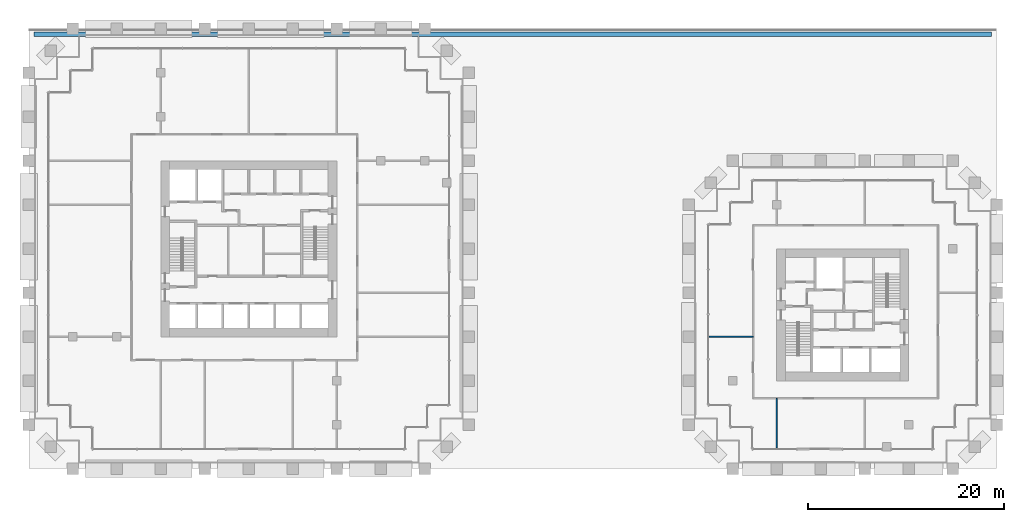
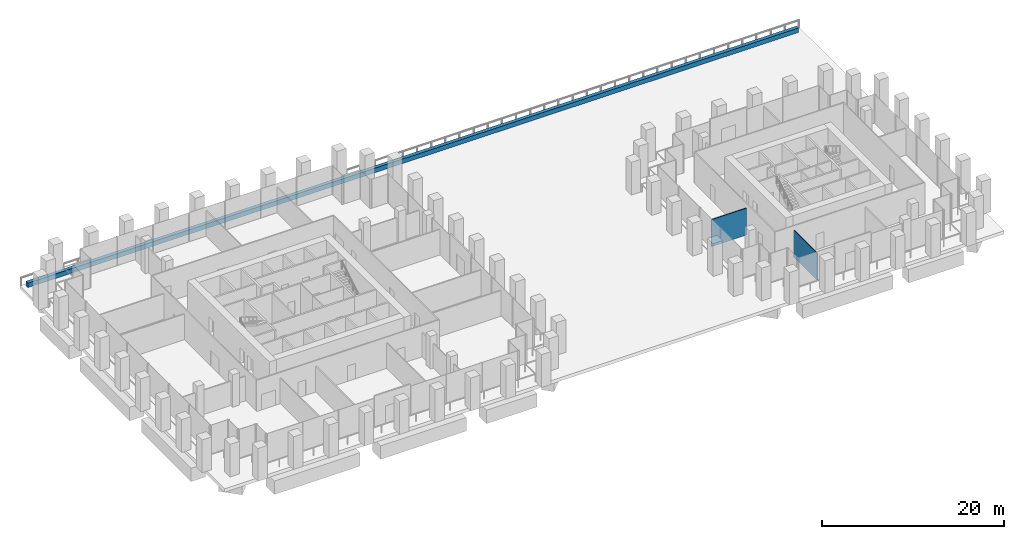
# One storey, part 27 of 32: 3 walls.
"""IFC4 building model written with IfcOpenShell, lengths in metres."""

import ifcopenshell
import ifcopenshell.guid

model = None  # the IFC model being written
_history = None  # IfcOwnerHistory: only IFC2X3 demands one
_inside = {}  # id of a spatial element -> (the spatial element, [elements in it])
_under = {}  # id of a project, library or spatial element -> (it, [spatial elements below it])
_declared = {}  # id of a project -> (the project, [libraries it declares])
_typed = {}  # id of a type object -> (the type object, [elements of that type])
_made_of = {}  # id of a material, layer set ... -> (it, [elements and type objects made of it])


def new_model(schema):
    """Start an empty IFC model of exactly this schema.

    Asked for "IFC4X3", IfcOpenShell would pick the latest addendum, in which some entities
    have other attributes; the version numbers below select the first issue.
    IFC2X3 requires an IfcOwnerHistory on every rooted entity: one is made here for all.
    """
    global model, _history
    if schema == "IFC4X3":
        model = ifcopenshell.file(schema_version=(4, 3, 0, 0))
    else:
        model = ifcopenshell.file(schema=schema)
    _inside.clear()
    _under.clear()
    _declared.clear()
    _typed.clear()
    _made_of.clear()
    _history = None
    if model.schema == "IFC2X3":
        org = make("IfcOrganization", Name="unknown")
        user = make(
            "IfcPersonAndOrganization",
            ThePerson=make("IfcPerson", FamilyName="unknown"),
            TheOrganization=org,
        )
        app = make(
            "IfcApplication",
            ApplicationDeveloper=org,
            Version="unknown",
            ApplicationFullName="unknown",
            ApplicationIdentifier="unknown",
        )
        _history = make(
            "IfcOwnerHistory",
            OwningUser=user,
            OwningApplication=app,
            ChangeAction="ADDED",
            CreationDate=0,
        )
    return model


def make(cls, **values):
    """One entity of the class cls with the attributes given. An attribute that is None is left unset."""
    return model.create_entity(
        cls, **{name: value for name, value in values.items() if value is not None}
    )


def rooted(cls, **values):
    """An entity with a GlobalId (a new one), such as an element, a storey or a relation."""
    return make(cls, GlobalId=ifcopenshell.guid.new(), OwnerHistory=_history, **values)


def si_unit(unit_type, name, prefix=None):
    """IfcSIUnit, for example si_unit("LENGTHUNIT", "METRE", prefix="MILLI")."""
    return make("IfcSIUnit", UnitType=unit_type, Prefix=prefix, Name=name)


def assignment(units):
    """IfcUnitAssignment: the units of a project."""
    return None if units is None else make("IfcUnitAssignment", Units=units)


def point(xyz):
    """IfcCartesianPoint."""
    return None if xyz is None else make("IfcCartesianPoint", Coordinates=xyz)


def direction(xyz):
    """IfcDirection."""
    return None if xyz is None else make("IfcDirection", DirectionRatios=xyz)


def frame(location, z_axis=None, x_axis=None):
    """IfcAxis2Placement3D, a coordinate frame: its origin and axes. An axis left out is left unset."""
    return make(
        "IfcAxis2Placement3D",
        Location=point(location),
        Axis=direction(z_axis),
        RefDirection=direction(x_axis),
    )


def frame_2d(location, x_axis=None):
    """IfcAxis2Placement2D, a coordinate frame in the plane: its origin and x axis."""
    return make(
        "IfcAxis2Placement2D", Location=point(location), RefDirection=direction(x_axis)
    )


def origin():
    """The frame at (0, 0, 0) with its axes left unset."""
    return frame((0.0, 0.0, 0.0))


def place(relative_to, where):
    """IfcLocalPlacement: puts the frame where relative to a parent placement (None: the world)."""
    return make(
        "IfcLocalPlacement", PlacementRelTo=relative_to, RelativePlacement=where
    )


def context(
    kind, dimensions, precision=None, world=None, true_north=None, identifier=None
):
    """IfcGeometricRepresentationContext, for example the 3D "Model" context."""
    return make(
        "IfcGeometricRepresentationContext",
        ContextIdentifier=identifier,
        ContextType=kind,
        CoordinateSpaceDimension=dimensions,
        Precision=precision,
        WorldCoordinateSystem=world,
        TrueNorth=true_north,
    )


def subcontext(parent, identifier, kind, view, scale=None):
    """IfcGeometricRepresentationSubContext, for example "Body" below "Model"."""
    return make(
        "IfcGeometricRepresentationSubContext",
        ContextIdentifier=identifier,
        ContextType=kind,
        ParentContext=parent,
        TargetScale=scale,
        TargetView=view,
    )


def project(units=None, contexts=None):
    """IfcProject with its units and contexts."""
    return rooted(
        "IfcProject",
        Name="project",
        RepresentationContexts=contexts,
        UnitsInContext=assignment(units),
    )


def spatial(cls, under=None, at=None, **own):
    """A site, building, storey or space (cls), placed at a placement, below another one or the project."""
    s = rooted(cls, ObjectPlacement=at, **own)
    if under is not None:
        _under.setdefault(under.id(), (under, []))[1].append(s)
    return s


def profile(cls, at=None, kind="AREA", **sizes):
    """A parametric profile (cls). Its sizes go by their IFC names, for example OverallWidth=200.0."""
    return make(cls, ProfileType=kind, Position=at, **sizes)


def rectangle(**sizes):
    """IfcRectangleProfileDef."""
    return profile("IfcRectangleProfileDef", **sizes)


def extrude(swept, where, along, depth):
    """IfcExtrudedAreaSolid: the profile swept, set in the frame where, extruded along a direction by depth."""
    return make(
        "IfcExtrudedAreaSolid",
        SweptArea=swept,
        Position=where,
        ExtrudedDirection=direction(along),
        Depth=depth,
    )


def shape(context_of_items, identifier, shape_type, items):
    """IfcShapeRepresentation: the items that make up one representation, for example the "Body"."""
    return make(
        "IfcShapeRepresentation",
        ContextOfItems=context_of_items,
        RepresentationIdentifier=identifier,
        RepresentationType=shape_type,
        Items=items,
    )


def material(Name=None, Category=None):
    """IfcMaterial."""
    return make("IfcMaterial", Name=Name, Category=Category)


def layer(
    of_material, thickness, ventilated=None, Name=None, Category=None, Priority=None
):
    """IfcMaterialLayer: one layer of a wall or slab, of a material (None: an air gap)."""
    return make(
        "IfcMaterialLayer",
        Material=of_material,
        LayerThickness=thickness,
        IsVentilated=ventilated,
        Name=Name,
        Category=Category,
        Priority=Priority,
    )


def layer_set(layers, Name=None):
    """IfcMaterialLayerSet."""
    return make("IfcMaterialLayerSet", MaterialLayers=layers, LayerSetName=Name)


def made_of(thing, what):
    """Note that an element or type object is made of a material, layer set ...; save() writes the relation."""
    if what is not None:
        _made_of.setdefault(what.id(), (what, []))[1].append(thing)
    return thing


def type_object(cls, material=None, **own):
    """A type object (cls), such as IfcWallType, which elements share."""
    return made_of(rooted(cls, **own), material)


def element(
    cls,
    number,
    at=None,
    inside=None,
    cuts=None,
    type_object=None,
    material=None,
    context=None,
    identifier="Body",
    shape_type=None,
    held_by="IfcProductDefinitionShape",
    body=None,
    shapes=None,
    **own,
):
    """One element of the class cls, such as IfcWall. Its Tag is "e" and its number.

    at: its placement. inside: the storey or other place that contains it. cuts: it is an
    opening in that element (IfcRelVoidsElement). A single representation is given by context,
    identifier, shape_type and body (its items); several are given by shapes. held_by: the class
    of the entity that holds the representations. save() writes the other relations.
    """
    e = rooted(cls, Tag="e%d" % number, ObjectPlacement=at, **own)
    if body is not None:
        shapes = [shape(context, identifier, shape_type, body)]
    if shapes is not None:
        e.Representation = make(held_by, Representations=shapes)
    if inside is not None:
        _inside.setdefault(inside.id(), (inside, []))[1].append(e)
    if cuts is not None:
        rooted(
            "IfcRelVoidsElement", RelatingBuildingElement=cuts, RelatedOpeningElement=e
        )
    if type_object is not None:
        _typed.setdefault(type_object.id(), (type_object, []))[1].append(e)
    return made_of(e, material)


def aggregate(whole, parts):
    """IfcRelAggregates: a whole, such as a stair, and the parts it consists of."""
    return rooted("IfcRelAggregates", RelatingObject=whole, RelatedObjects=parts)


def save(model, path):
    """Write the relations noted so far, then the file.

    IfcRelAggregates (storeys below a building ...), IfcRelContainedInSpatialStructure (elements
    in a storey), IfcRelDefinesByType, IfcRelAssociatesMaterial and IfcRelDeclares: one each for
    every whole, place, type object, material and project.
    """
    for whole, parts in _under.values():
        aggregate(whole, parts)
    for where, things in _inside.values():
        rooted(
            "IfcRelContainedInSpatialStructure",
            RelatedElements=things,
            RelatingStructure=where,
        )
    for kind, things in _typed.values():
        rooted("IfcRelDefinesByType", RelatedObjects=things, RelatingType=kind)
    for what, things in _made_of.values():
        rooted("IfcRelAssociatesMaterial", RelatedObjects=things, RelatingMaterial=what)
    for by, libraries in _declared.values():
        rooted("IfcRelDeclares", RelatingContext=by, RelatedDefinitions=libraries)
    model.write(path)


model = new_model("IFC4")

# Units and contexts
model_context = context("Model", 3, precision=1e-05, world=origin(), true_north=direction((0.0, 1.0)))
body_context = subcontext(model_context, "Body", "Model", "MODEL_VIEW")
ifc_project = project(units=[si_unit("LENGTHUNIT", "METRE"), si_unit("AREAUNIT", "SQUARE_METRE"), si_unit("VOLUMEUNIT", "CUBIC_METRE"), si_unit("PLANEANGLEUNIT", "RADIAN"), si_unit("MASSUNIT", "GRAM", prefix="KILO")], contexts=[model_context])

# Site, building, storey
site_placement = place(None, origin())
site = spatial("IfcSite", under=ifc_project, at=site_placement, CompositionType="ELEMENT")
building_placement = place(site_placement, origin())
building = spatial("IfcBuilding", under=site, at=building_placement, Name="Altepetl Exchange Towers", CompositionType="ELEMENT")
storey_placement = place(building_placement, frame((0.0, 0.0, 21.0)))
storey = spatial("IfcBuildingStorey", under=building, at=storey_placement, Name="L04", CompositionType="ELEMENT", Elevation=21.0)

# Walls
ifc_material_1 = material(Name="Gypsum board on steel studs", Category="steel")
ifc_layer_1 = layer(ifc_material_1, 0.125)
ifc_layer_set_1 = layer_set([ifc_layer_1], Name="Gypsum board on steel studs")
wall_type_1 = type_object("IfcWallType", Name="Partition 125 gypsum board on steel studs", PredefinedType="PARTITIONING", material=ifc_layer_set_1)
wall_1_placement = place(storey_placement, frame((96.60009765625, 40.5, 0.0)))
element("IfcWall", 1, at=wall_1_placement, inside=storey, type_object=wall_type_1, Name="wall:B:L04:P02", PredefinedType="PARTITIONING", context=body_context, shape_type="SweptSolid", body=[
    extrude(rectangle(XDim=4.5, YDim=0.125, at=frame_2d((2.25, 0.0))), origin(), (0.0, 0.0, 1.0), 3.613037109375),
])
wall_2_placement = place(storey_placement, frame((103.5, 29.10009765625, 0.0), z_axis=(0.0, 0.0, 1.0), x_axis=(0.0, 1.0, 0.0)))
element("IfcWall", 2, at=wall_2_placement, inside=storey, type_object=wall_type_1, Name="wall:B:L04:P06", PredefinedType="PARTITIONING", context=body_context, shape_type="SweptSolid", body=[
    extrude(rectangle(XDim=5.099853515625, YDim=0.125, at=frame_2d((2.5498046875, 0.0))), origin(), (0.0, 0.0, 1.0), 3.613037109375),
])
ifc_material_2 = material(Name="Concrete C30/37", Category="concrete")
ifc_layer_2 = layer(ifc_material_2, 0.449951171875)
ifc_layer_set_2 = layer_set([ifc_layer_2], Name="Concrete C30/37")
wall_type_2 = type_object("IfcWallType", Name="Planter wall 450 concrete", PredefinedType="SOLIDWALL", material=ifc_layer_set_2)
wall_3_placement = place(storey_placement, frame((125.449951171875, 71.449951171875, 0.0), z_axis=(0.0, 0.0, 1.0), x_axis=(-1.0, 0.0, 0.0)))
element("IfcWall", 3, at=wall_3_placement, inside=storey, type_object=wall_type_2, Name="Planter bed wall", PredefinedType="SOLIDWALL", context=body_context, shape_type="SweptSolid", body=[
    extrude(rectangle(XDim=97.89990234375, YDim=0.449951171875, at=frame_2d((48.949951171875, 0.0))), origin(), (0.0, 0.0, 1.0), 0.60009765625),
])

save(model, "model.ifc")
